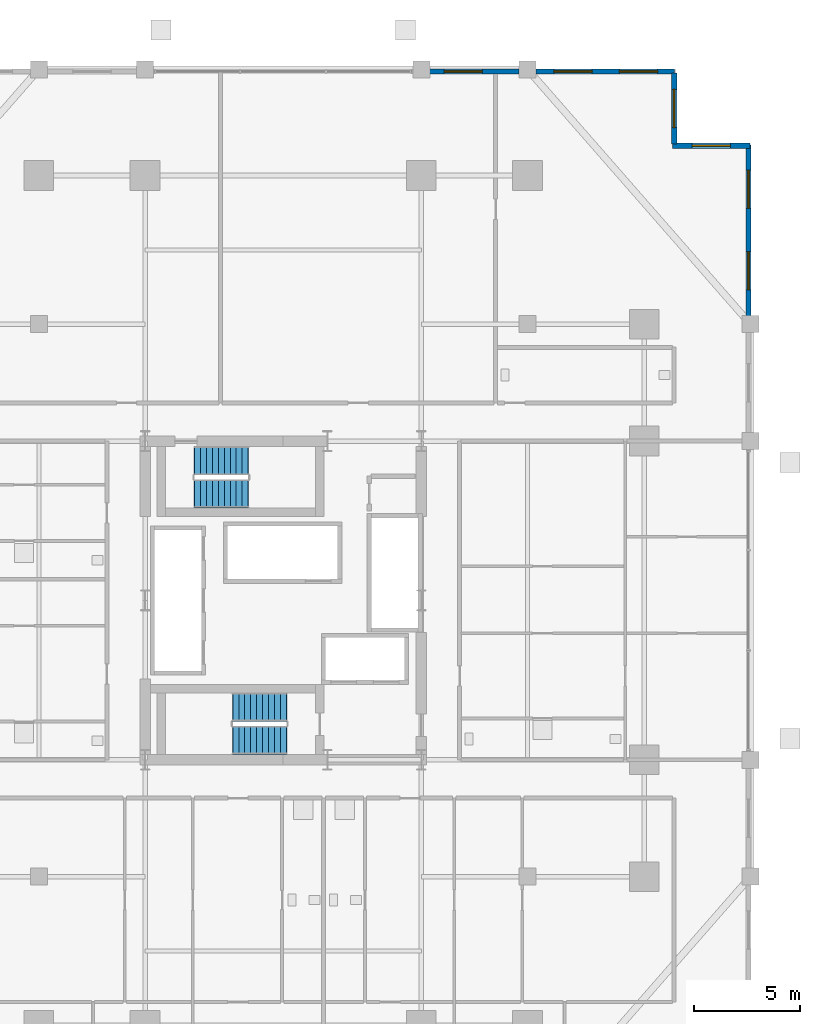
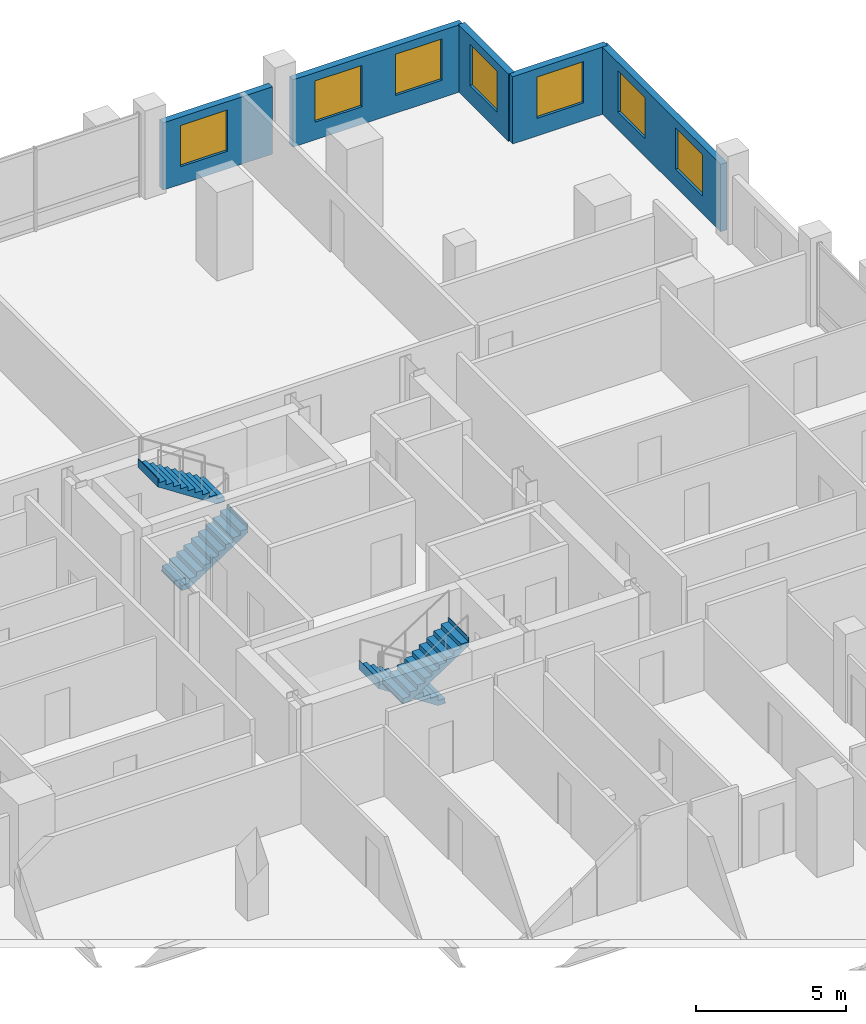
# One storey, part 21 of 23: 7 windows, 5 walls, 4 stair flights, 7 openings, 2 elements without a shape of their own.
"""IFC4 building model written with IfcOpenShell, lengths in metres."""

from ifc_helpers import new_model, si_unit, direction, frame, frame_2d, origin, place, context, subcontext, project, spatial, polyline, rectangle, outline, extrude, material, layer, layer_set, type_object, element, fill, aggregate, save


model = new_model("IFC4")

# Units and contexts
model_context = context("Model", 3, precision=1e-05, world=origin(), true_north=direction((0.0, 1.0)))
body_context = subcontext(model_context, "Body", "Model", "MODEL_VIEW")
ifc_project = project(units=[si_unit("LENGTHUNIT", "METRE"), si_unit("AREAUNIT", "SQUARE_METRE"), si_unit("VOLUMEUNIT", "CUBIC_METRE"), si_unit("PLANEANGLEUNIT", "RADIAN"), si_unit("MASSUNIT", "GRAM", prefix="KILO")], contexts=[model_context])

# Site, building, storey
site_placement = place(None, origin())
site = spatial("IfcSite", under=ifc_project, at=site_placement, CompositionType="ELEMENT")
building_placement = place(site_placement, origin())
building = spatial("IfcBuilding", under=site, at=building_placement, Name="Barlavira Tower and Art Museum", CompositionType="ELEMENT")
storey_placement = place(building_placement, frame((0.0, 0.0, 54.0)))
storey = spatial("IfcBuildingStorey", under=building, at=storey_placement, Name="L12", CompositionType="ELEMENT", Elevation=54.0)

# Wall, openings, windows
ifc_material_1 = material(Name="Precast concrete C40", Category="concrete")
ifc_layer = layer(ifc_material_1, 0.25, Name="Precast concrete C40")
ifc_layer_set = layer_set([ifc_layer], Name="Precast concrete C40")
wall_type = type_object("IfcWallType", Name="Notched Corner Spandrel Wall 250 Precast Concrete C40", PredefinedType="SOLIDWALL", material=ifc_layer_set)
wall_1_placement = place(storey_placement, frame((18.425048828125, 24.89990234375, 0.0), z_axis=(0.0, 0.0, 1.0), x_axis=(-1.0, 0.0, 0.0)))
wall_1 = element("IfcWall", 1, at=wall_1_placement, inside=storey, type_object=wall_type, Name="L12 Coastal Facade Pier Wall CW1-L12-N-1", PredefinedType="SOLIDWALL", context=body_context, shape_type="SweptSolid", body=[
    extrude(rectangle(XDim=6.530029296875, YDim=0.25, at=frame_2d((3.26513671875, 0.0))), origin(), (0.0, 0.0, 1.0), 2.736083984375),
])
opening_1_placement = place(wall_1_placement, frame((0.801025390625, 0.0, 0.719970703125)))
opening_1 = element("IfcOpeningElement", 2, at=opening_1_placement, cuts=wall_1, Name="Opening WN-01", PredefinedType="OPENING", context=body_context, shape_type="SweptSolid", body=[
    extrude(rectangle(XDim=1.800048828125, YDim=1.679931640625, at=frame_2d((0.89990234375, 0.83984375))), frame((0.0, 0.135009765625, 0.0), z_axis=(0.0, -1.0, 0.0), x_axis=(1.0, 0.0, 0.0)), (0.0, 0.0, 1.0), 0.27001953125),
])
opening_2_placement = place(wall_1_placement, frame((3.884033203125, 0.0, 0.719970703125)))
opening_2 = element("IfcOpeningElement", 3, at=opening_2_placement, cuts=wall_1, Name="Opening WN-01", PredefinedType="OPENING", context=body_context, shape_type="SweptSolid", body=[
    extrude(rectangle(XDim=1.800048828125, YDim=1.679931640625, at=frame_2d((0.89990234375, 0.83984375))), frame((0.0, 0.135009765625, 0.0), z_axis=(0.0, -1.0, 0.0), x_axis=(1.0, 0.0, 0.0)), (0.0, 0.0, 1.0), 0.27001953125),
])
ifc_material_2 = material(Name="Low-iron coastal laminated glass", Category="glass")
window_type = type_object("IfcWindowType", Name="Recessed Notch Corner Punch Window 1800x1680", PartitioningType="SINGLE_PANEL", PredefinedType="WINDOW", material=ifc_material_2)
window_1_placement = place(opening_1_placement, origin())
window_1 = element("IfcWindow", 4, at=window_1_placement, inside=storey, type_object=window_type, Name="L12 Punched Facade Window EWP-CW1-L12-N-1-1", OverallHeight=1.679931640625, OverallWidth=1.800048828125, PartitioningType="SINGLE_PANEL", PredefinedType="WINDOW", context=body_context, shape_type="SweptSolid", body=[
    extrude(rectangle(XDim=1.800048828125, YDim=1.679931640625, at=frame_2d((0.89990234375, 0.83984375))), frame((0.0, 0.030029296875, 0.0), z_axis=(0.0, -1.0, 0.0), x_axis=(1.0, 0.0, 0.0)), (0.0, 0.0, 1.0), 0.06005859375),
])
fill(opening_1, window_1)
window_2_placement = place(opening_2_placement, origin())
window_2 = element("IfcWindow", 5, at=window_2_placement, inside=storey, type_object=window_type, Name="L12 Punched Facade Window EWP-CW1-L12-N-1-2", OverallHeight=1.679931640625, OverallWidth=1.800048828125, PartitioningType="SINGLE_PANEL", PredefinedType="WINDOW", context=body_context, shape_type="SweptSolid", body=[
    extrude(rectangle(XDim=1.800048828125, YDim=1.679931640625, at=frame_2d((0.89990234375, 0.83984375))), frame((0.0, 0.030029296875, 0.0), z_axis=(0.0, -1.0, 0.0), x_axis=(1.0, 0.0, 0.0)), (0.0, 0.0, 1.0), 0.06005859375),
])
fill(opening_2, window_2)

# Wall, opening, window
wall_2_placement = place(storey_placement, frame((11.10498046875, 24.89990234375, 0.0), z_axis=(0.0, 0.0, 1.0), x_axis=(-1.0, 0.0, 0.0)))
wall_2 = element("IfcWall", 6, at=wall_2_placement, inside=storey, type_object=wall_type, Name="L12 Coastal Facade Pier Wall CW1-L12-N-2", PredefinedType="SOLIDWALL", context=body_context, shape_type="SweptSolid", body=[
    extrude(rectangle(XDim=4.2099609375, YDim=0.25, at=frame_2d((2.10498046875, 0.0))), origin(), (0.0, 0.0, 1.0), 2.736083984375),
])
opening_3_placement = place(wall_2_placement, frame((1.735107421875, 0.0, 0.719970703125)))
opening_3 = element("IfcOpeningElement", 7, at=opening_3_placement, cuts=wall_2, Name="Opening WN-01", PredefinedType="OPENING", context=body_context, shape_type="SweptSolid", body=[
    extrude(rectangle(XDim=1.800048828125, YDim=1.679931640625, at=frame_2d((0.89990234375, 0.83984375))), frame((0.0, 0.135009765625, 0.0), z_axis=(0.0, -1.0, 0.0), x_axis=(1.0, 0.0, 0.0)), (0.0, 0.0, 1.0), 0.27001953125),
])
window_3_placement = place(opening_3_placement, origin())
window_3 = element("IfcWindow", 8, at=window_3_placement, inside=storey, type_object=window_type, Name="L12 Punched Facade Window EWP-CW1-L12-N-2-1", OverallHeight=1.679931640625, OverallWidth=1.800048828125, PartitioningType="SINGLE_PANEL", PredefinedType="WINDOW", context=body_context, shape_type="SweptSolid", body=[
    extrude(rectangle(XDim=1.800048828125, YDim=1.679931640625, at=frame_2d((0.89990234375, 0.83984375))), frame((0.0, 0.030029296875, 0.0), z_axis=(0.0, -1.0, 0.0), x_axis=(1.0, 0.0, 0.0)), (0.0, 0.0, 1.0), 0.06005859375),
])
fill(opening_3, window_3)

# Wall, openings, windows
wall_3_placement = place(storey_placement, frame((21.89990234375, 13.39501953125, 0.0), z_axis=(0.0, 0.0, 1.0), x_axis=(0.0, 1.0, 0.0)))
wall_3 = element("IfcWall", 9, at=wall_3_placement, inside=storey, type_object=wall_type, Name="L12 Coastal Facade Pier Wall CW1-L12-E-5", PredefinedType="SOLIDWALL", context=body_context, shape_type="SweptSolid", body=[
    extrude(rectangle(XDim=8.030029296875, YDim=0.25, at=frame_2d((4.01513671875, 0.0))), origin(), (0.0, 0.0, 1.0), 2.736083984375),
])
opening_4_placement = place(wall_3_placement, frame((1.220947265625, 0.0, 0.719970703125)))
opening_4 = element("IfcOpeningElement", 10, at=opening_4_placement, cuts=wall_3, Name="Opening WN-01", PredefinedType="OPENING", context=body_context, shape_type="SweptSolid", body=[
    extrude(rectangle(XDim=1.800048828125, YDim=1.679931640625, at=frame_2d((0.89990234375, 0.83984375))), frame((0.0, 0.135009765625, 0.0), z_axis=(0.0, -1.0, 0.0), x_axis=(1.0, 0.0, 0.0)), (0.0, 0.0, 1.0), 0.27001953125),
])
opening_5_placement = place(wall_3_placement, frame((5.053955078125, 0.0, 0.719970703125)))
opening_5 = element("IfcOpeningElement", 11, at=opening_5_placement, cuts=wall_3, Name="Opening WN-01", PredefinedType="OPENING", context=body_context, shape_type="SweptSolid", body=[
    extrude(rectangle(XDim=1.800048828125, YDim=1.679931640625, at=frame_2d((0.89990234375, 0.83984375))), frame((0.0, 0.135009765625, 0.0), z_axis=(0.0, -1.0, 0.0), x_axis=(1.0, 0.0, 0.0)), (0.0, 0.0, 1.0), 0.27001953125),
])
window_4_placement = place(opening_4_placement, origin())
window_4 = element("IfcWindow", 12, at=window_4_placement, inside=storey, type_object=window_type, Name="L12 Punched Facade Window EWP-CW1-L12-E-5-1", OverallHeight=1.679931640625, OverallWidth=1.800048828125, PartitioningType="SINGLE_PANEL", PredefinedType="WINDOW", context=body_context, shape_type="SweptSolid", body=[
    extrude(rectangle(XDim=1.800048828125, YDim=1.679931640625, at=frame_2d((0.89990234375, 0.83984375))), frame((0.0, 0.030029296875, 0.0), z_axis=(0.0, -1.0, 0.0), x_axis=(1.0, 0.0, 0.0)), (0.0, 0.0, 1.0), 0.06005859375),
])
fill(opening_4, window_4)
window_5_placement = place(opening_5_placement, origin())
window_5 = element("IfcWindow", 13, at=window_5_placement, inside=storey, type_object=window_type, Name="L12 Punched Facade Window EWP-CW1-L12-E-5-2", OverallHeight=1.679931640625, OverallWidth=1.800048828125, PartitioningType="SINGLE_PANEL", PredefinedType="WINDOW", context=body_context, shape_type="SweptSolid", body=[
    extrude(rectangle(XDim=1.800048828125, YDim=1.679931640625, at=frame_2d((0.89990234375, 0.83984375))), frame((0.0, 0.030029296875, 0.0), z_axis=(0.0, -1.0, 0.0), x_axis=(1.0, 0.0, 0.0)), (0.0, 0.0, 1.0), 0.06005859375),
])
fill(opening_5, window_5)

# Wall, opening, window
wall_4_placement = place(storey_placement, frame((21.97998046875, 21.39990234375, 0.0), z_axis=(0.0, 0.0, 1.0), x_axis=(-1.0, 0.0, 0.0)))
wall_4 = element("IfcWall", 14, at=wall_4_placement, inside=storey, type_object=wall_type, Name="L12 Notch Corner Wall NE1", PredefinedType="SOLIDWALL", context=body_context, shape_type="SweptSolid", body=[
    extrude(rectangle(XDim=3.659912109375, YDim=0.25, at=frame_2d((1.830078125, 0.0))), origin(), (0.0, 0.0, 1.0), 2.736083984375),
])
opening_6_placement = place(wall_4_placement, frame((0.929931640625, 0.0, 0.719970703125)))
opening_6 = element("IfcOpeningElement", 15, at=opening_6_placement, cuts=wall_4, Name="Opening WN-01", PredefinedType="OPENING", context=body_context, shape_type="SweptSolid", body=[
    extrude(rectangle(XDim=1.800048828125, YDim=1.679931640625, at=frame_2d((0.89990234375, 0.83984375))), frame((0.0, 0.135009765625, 0.0), z_axis=(0.0, -1.0, 0.0), x_axis=(1.0, 0.0, 0.0)), (0.0, 0.0, 1.0), 0.27001953125),
])
window_6_placement = place(opening_6_placement, origin())
window_6 = element("IfcWindow", 16, at=window_6_placement, inside=storey, type_object=window_type, Name="L12 Punched Facade Window EW-NTC-L12-NE1-1", OverallHeight=1.679931640625, OverallWidth=1.800048828125, PartitioningType="SINGLE_PANEL", PredefinedType="WINDOW", context=body_context, shape_type="SweptSolid", body=[
    extrude(rectangle(XDim=1.800048828125, YDim=1.679931640625, at=frame_2d((0.89990234375, 0.83984375))), frame((0.0, 0.030029296875, 0.0), z_axis=(0.0, -1.0, 0.0), x_axis=(1.0, 0.0, 0.0)), (0.0, 0.0, 1.0), 0.06005859375),
])
fill(opening_6, window_6)

wall_5_placement = place(storey_placement, frame((18.39990234375, 21.47998046875, 0.0), z_axis=(0.0, 0.0, 1.0), x_axis=(0.0, 1.0, 0.0)))
wall_5 = element("IfcWall", 17, at=wall_5_placement, inside=storey, type_object=wall_type, Name="L12 Notch Corner Wall NE2", PredefinedType="SOLIDWALL", context=body_context, shape_type="SweptSolid", body=[
    extrude(rectangle(XDim=3.340087890625, YDim=0.25, at=frame_2d((1.669921875, 0.0))), origin(), (0.0, 0.0, 1.0), 2.736083984375),
])
opening_7_placement = place(wall_5_placement, frame((0.77001953125, 0.0, 0.719970703125)))
opening_7 = element("IfcOpeningElement", 18, at=opening_7_placement, cuts=wall_5, Name="Opening WN-01", PredefinedType="OPENING", context=body_context, shape_type="SweptSolid", body=[
    extrude(rectangle(XDim=1.800048828125, YDim=1.679931640625, at=frame_2d((0.89990234375, 0.83984375))), frame((0.0, 0.135009765625, 0.0), z_axis=(0.0, -1.0, 0.0), x_axis=(1.0, 0.0, 0.0)), (0.0, 0.0, 1.0), 0.27001953125),
])
window_7_placement = place(opening_7_placement, origin())
window_7 = element("IfcWindow", 19, at=window_7_placement, inside=storey, type_object=window_type, Name="L12 Punched Facade Window EW-NTC-L12-NE2-1", OverallHeight=1.679931640625, OverallWidth=1.800048828125, PartitioningType="SINGLE_PANEL", PredefinedType="WINDOW", context=body_context, shape_type="SweptSolid", body=[
    extrude(rectangle(XDim=1.800048828125, YDim=1.679931640625, at=frame_2d((0.89990234375, 0.83984375))), frame((0.0, 0.030029296875, 0.0), z_axis=(0.0, -1.0, 0.0), x_axis=(1.0, 0.0, 0.0)), (0.0, 0.0, 1.0), 0.06005859375),
])
fill(opening_7, window_7)

# Stair, stair flights
ifc_material_3 = material(Name="Concrete C45", Category="concrete")
stair_type_1 = type_object("IfcStairType", Name="Tower North Dog-Leg Exit Stair Assembly Concrete C45", PredefinedType="TWO_QUARTER_TURN_STAIR", material=ifc_material_3)
stair_1_placement = place(storey_placement, origin())
stair_1 = element("IfcStair", 20, at=stair_1_placement, inside=storey, type_object=stair_type_1, Name="L12 Tower North Exit Stair ST-T2", PredefinedType="TWO_QUARTER_TURN_STAIR")
ifc_material_4 = material(Name="Precast concrete C45", Category="concrete")
stair_flight_type_1 = type_object("IfcStairFlightType", Name="Tower North Dog-Leg Exit Stair Precast Flight 1350 Concrete C45", PredefinedType="STRAIGHT", material=ifc_material_4)
stair_flight_1_placement = place(storey_placement, frame((-4.169921875, 5.02490234375, 0.0), z_axis=(0.0, 0.0, 1.0), x_axis=(1.0, 0.0, 0.0)))
stair_flight_1 = element("IfcStairFlight", 21, at=stair_flight_1_placement, type_object=stair_flight_type_1, Name="ST-T2 flight 1", NumberOfRisers=10, NumberOfTreads=9, PredefinedType="STRAIGHT", RiserHeight=0.18, TreadLength=0.28, context=body_context, shape_type="SweptSolid", body=[
    extrude(outline(polyline([(-0.02490234375, 0.0), (0.0, 0.0), (0.0, 0.179931640625), (0.280029296875, 0.179931640625), (0.280029296875, 0.360107421875), (0.56005859375, 0.360107421875), (0.56005859375, 0.5400390625), (0.840087890625, 0.5400390625), (0.840087890625, 0.719970703125), (1.1201171875, 0.719970703125), (1.1201171875, 0.89990234375), (1.39990234375, 0.89990234375), (1.39990234375, 1.080078125), (1.679931640625, 1.080078125), (1.679931640625, 1.260009765625), (1.9599609375, 1.260009765625), (1.9599609375, 1.43994140625), (2.239990234375, 1.43994140625), (2.239990234375, 1.6201171875), (2.52001953125, 1.6201171875), (2.52001953125, 1.800048828125), (2.544921875, 1.800048828125), (2.544921875, 1.44189453125), (2.52001953125, 1.44189453125), (0.277099609375, -0.02490234375), (-0.02490234375, -0.02490234375), (-0.02490234375, 0.0)])), frame((0.0, 0.675048828125, 0.0), z_axis=(0.0, -1.0, 0.0), x_axis=(1.0, 0.0, 0.0)), (0.0, 0.0, 1.0), 1.35009765625),
])
stair_flight_2_placement = place(storey_placement, frame((-1.64990234375, 6.574951171875, 1.800048828125), z_axis=(0.0, 0.0, 1.0), x_axis=(-1.0, 0.0, 0.0)))
stair_flight_2 = element("IfcStairFlight", 22, at=stair_flight_2_placement, type_object=stair_flight_type_1, Name="ST-T2 flight 2", NumberOfRisers=10, NumberOfTreads=9, PredefinedType="STRAIGHT", RiserHeight=0.18, TreadLength=0.28, context=body_context, shape_type="SweptSolid", body=[
    extrude(outline(polyline([(-0.02490234375, 0.0), (0.0, 0.0), (0.0, 0.179931640625), (0.280029296875, 0.179931640625), (0.280029296875, 0.360107421875), (0.56005859375, 0.360107421875), (0.56005859375, 0.5400390625), (0.840087890625, 0.5400390625), (0.840087890625, 0.719970703125), (1.1201171875, 0.719970703125), (1.1201171875, 0.89990234375), (1.39990234375, 0.89990234375), (1.39990234375, 1.080078125), (1.679931640625, 1.080078125), (1.679931640625, 1.260009765625), (1.9599609375, 1.260009765625), (1.9599609375, 1.43994140625), (2.239990234375, 1.43994140625), (2.239990234375, 1.6201171875), (2.52001953125, 1.6201171875), (2.52001953125, 1.800048828125), (2.544921875, 1.800048828125), (2.544921875, 1.44189453125), (2.52001953125, 1.44189453125), (0.277099609375, -0.02490234375), (-0.02490234375, -0.02490234375), (-0.02490234375, 0.0)])), frame((0.0, 0.675048828125, 0.0), z_axis=(0.0, -1.0, 0.0), x_axis=(1.0, 0.0, 0.0)), (0.0, 0.0, 1.0), 1.35009765625),
])
aggregate(stair_1, [stair_flight_1, stair_flight_2])

stair_type_2 = type_object("IfcStairType", Name="Tower South Dog-Leg Exit Stair Assembly Concrete C45", PredefinedType="TWO_QUARTER_TURN_STAIR", material=ifc_material_3)
stair_2_placement = place(storey_placement, origin())
stair_2 = element("IfcStair", 23, at=stair_2_placement, inside=storey, type_object=stair_type_2, Name="L12 Tower South Exit Stair ST-T1", PredefinedType="TWO_QUARTER_TURN_STAIR")
stair_flight_type_2 = type_object("IfcStairFlightType", Name="Tower South Dog-Leg Exit Stair Precast Flight 1350 Concrete C45", PredefinedType="STRAIGHT", material=ifc_material_4)
stair_flight_3_placement = place(storey_placement, frame((0.14990234375, -5.02490234375, 0.0), z_axis=(0.0, 0.0, 1.0), x_axis=(-1.0, 0.0, 0.0)))
stair_flight_3 = element("IfcStairFlight", 24, at=stair_flight_3_placement, type_object=stair_flight_type_2, Name="ST-T1 flight 1", NumberOfRisers=10, NumberOfTreads=9, PredefinedType="STRAIGHT", RiserHeight=0.18, TreadLength=0.28, context=body_context, shape_type="SweptSolid", body=[
    extrude(outline(polyline([(-0.02490234375, 0.0), (0.0, 0.0), (0.0, 0.179931640625), (0.280029296875, 0.179931640625), (0.280029296875, 0.360107421875), (0.56005859375, 0.360107421875), (0.56005859375, 0.5400390625), (0.840087890625, 0.5400390625), (0.840087890625, 0.719970703125), (1.1201171875, 0.719970703125), (1.1201171875, 0.89990234375), (1.39990234375, 0.89990234375), (1.39990234375, 1.080078125), (1.679931640625, 1.080078125), (1.679931640625, 1.260009765625), (1.9599609375, 1.260009765625), (1.9599609375, 1.43994140625), (2.239990234375, 1.43994140625), (2.239990234375, 1.6201171875), (2.52001953125, 1.6201171875), (2.52001953125, 1.800048828125), (2.544921875, 1.800048828125), (2.544921875, 1.44189453125), (2.52001953125, 1.44189453125), (0.277099609375, -0.02490234375), (-0.02490234375, -0.02490234375), (-0.02490234375, 0.0)])), frame((0.0, 0.675048828125, 0.0), z_axis=(0.0, -1.0, 0.0), x_axis=(1.0, 0.0, 0.0)), (0.0, 0.0, 1.0), 1.35009765625),
])
stair_flight_4_placement = place(storey_placement, frame((-2.3701171875, -6.574951171875, 1.800048828125), z_axis=(0.0, 0.0, 1.0), x_axis=(1.0, 0.0, 0.0)))
stair_flight_4 = element("IfcStairFlight", 25, at=stair_flight_4_placement, type_object=stair_flight_type_2, Name="ST-T1 flight 2", NumberOfRisers=10, NumberOfTreads=9, PredefinedType="STRAIGHT", RiserHeight=0.18, TreadLength=0.28, context=body_context, shape_type="SweptSolid", body=[
    extrude(outline(polyline([(-0.02490234375, 0.0), (0.0, 0.0), (0.0, 0.179931640625), (0.280029296875, 0.179931640625), (0.280029296875, 0.360107421875), (0.56005859375, 0.360107421875), (0.56005859375, 0.5400390625), (0.840087890625, 0.5400390625), (0.840087890625, 0.719970703125), (1.1201171875, 0.719970703125), (1.1201171875, 0.89990234375), (1.39990234375, 0.89990234375), (1.39990234375, 1.080078125), (1.679931640625, 1.080078125), (1.679931640625, 1.260009765625), (1.9599609375, 1.260009765625), (1.9599609375, 1.43994140625), (2.239990234375, 1.43994140625), (2.239990234375, 1.6201171875), (2.52001953125, 1.6201171875), (2.52001953125, 1.800048828125), (2.544921875, 1.800048828125), (2.544921875, 1.44189453125), (2.52001953125, 1.44189453125), (0.277099609375, -0.02490234375), (-0.02490234375, -0.02490234375), (-0.02490234375, 0.0)])), frame((0.0, 0.675048828125, 0.0), z_axis=(0.0, -1.0, 0.0), x_axis=(1.0, 0.0, 0.0)), (0.0, 0.0, 1.0), 1.35009765625),
])
aggregate(stair_2, [stair_flight_3, stair_flight_4])

save(model, "model.ifc")
